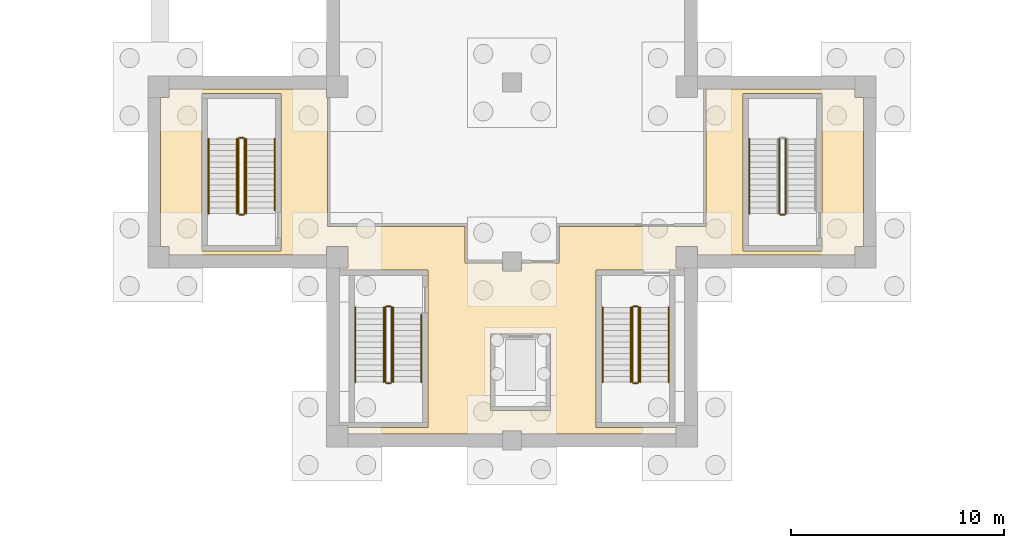
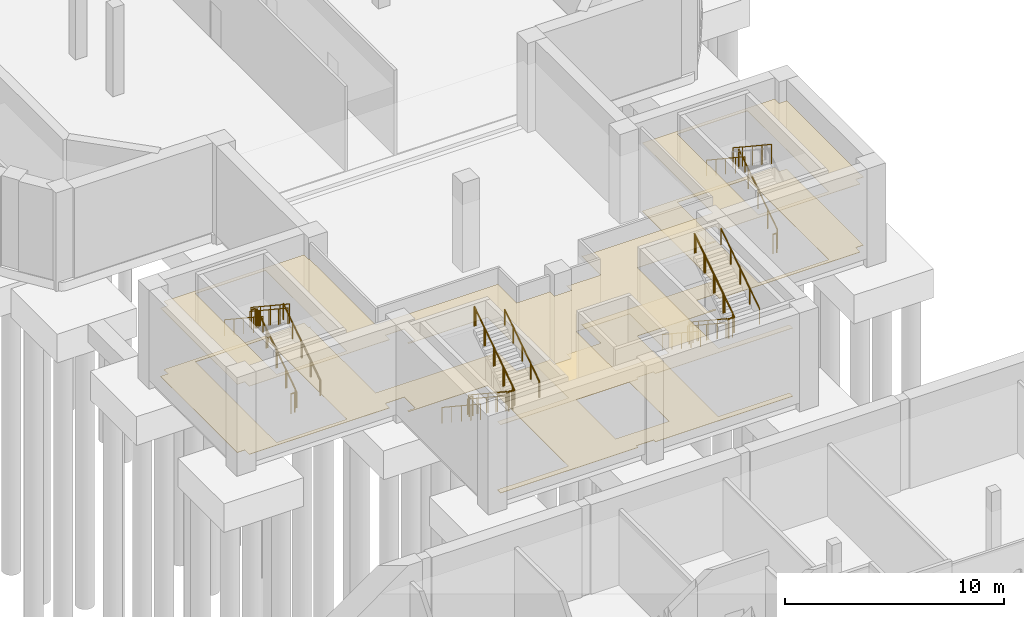
# One storey, part 22 of 33: 28 railings, 2 coverings.
"""IFC4 building model written with IfcOpenShell, lengths in metres."""

import ifcopenshell
import ifcopenshell.guid

model = None  # the IFC model being written
_history = None  # IfcOwnerHistory: only IFC2X3 demands one
_inside = {}  # id of a spatial element -> (the spatial element, [elements in it])
_under = {}  # id of a project, library or spatial element -> (it, [spatial elements below it])
_declared = {}  # id of a project -> (the project, [libraries it declares])
_typed = {}  # id of a type object -> (the type object, [elements of that type])
_made_of = {}  # id of a material, layer set ... -> (it, [elements and type objects made of it])


def new_model(schema):
    """Start an empty IFC model of exactly this schema.

    Asked for "IFC4X3", IfcOpenShell would pick the latest addendum, in which some entities
    have other attributes; the version numbers below select the first issue.
    IFC2X3 requires an IfcOwnerHistory on every rooted entity: one is made here for all.
    """
    global model, _history
    if schema == "IFC4X3":
        model = ifcopenshell.file(schema_version=(4, 3, 0, 0))
    else:
        model = ifcopenshell.file(schema=schema)
    _inside.clear()
    _under.clear()
    _declared.clear()
    _typed.clear()
    _made_of.clear()
    _history = None
    if model.schema == "IFC2X3":
        org = make("IfcOrganization", Name="unknown")
        user = make(
            "IfcPersonAndOrganization",
            ThePerson=make("IfcPerson", FamilyName="unknown"),
            TheOrganization=org,
        )
        app = make(
            "IfcApplication",
            ApplicationDeveloper=org,
            Version="unknown",
            ApplicationFullName="unknown",
            ApplicationIdentifier="unknown",
        )
        _history = make(
            "IfcOwnerHistory",
            OwningUser=user,
            OwningApplication=app,
            ChangeAction="ADDED",
            CreationDate=0,
        )
    return model


def make(cls, **values):
    """One entity of the class cls with the attributes given. An attribute that is None is left unset."""
    return model.create_entity(
        cls, **{name: value for name, value in values.items() if value is not None}
    )


def rooted(cls, **values):
    """An entity with a GlobalId (a new one), such as an element, a storey or a relation."""
    return make(cls, GlobalId=ifcopenshell.guid.new(), OwnerHistory=_history, **values)


def si_unit(unit_type, name, prefix=None):
    """IfcSIUnit, for example si_unit("LENGTHUNIT", "METRE", prefix="MILLI")."""
    return make("IfcSIUnit", UnitType=unit_type, Prefix=prefix, Name=name)


def assignment(units):
    """IfcUnitAssignment: the units of a project."""
    return None if units is None else make("IfcUnitAssignment", Units=units)


def point(xyz):
    """IfcCartesianPoint."""
    return None if xyz is None else make("IfcCartesianPoint", Coordinates=xyz)


def direction(xyz):
    """IfcDirection."""
    return None if xyz is None else make("IfcDirection", DirectionRatios=xyz)


def frame(location, z_axis=None, x_axis=None):
    """IfcAxis2Placement3D, a coordinate frame: its origin and axes. An axis left out is left unset."""
    return make(
        "IfcAxis2Placement3D",
        Location=point(location),
        Axis=direction(z_axis),
        RefDirection=direction(x_axis),
    )


def frame_2d(location, x_axis=None):
    """IfcAxis2Placement2D, a coordinate frame in the plane: its origin and x axis."""
    return make(
        "IfcAxis2Placement2D", Location=point(location), RefDirection=direction(x_axis)
    )


def origin():
    """The frame at (0, 0, 0) with its axes left unset."""
    return frame((0.0, 0.0, 0.0))


def origin_2d():
    """The frame at (0, 0) in the plane with its x axis left unset."""
    return frame_2d((0.0, 0.0))


def place(relative_to, where):
    """IfcLocalPlacement: puts the frame where relative to a parent placement (None: the world)."""
    return make(
        "IfcLocalPlacement", PlacementRelTo=relative_to, RelativePlacement=where
    )


def context(
    kind, dimensions, precision=None, world=None, true_north=None, identifier=None
):
    """IfcGeometricRepresentationContext, for example the 3D "Model" context."""
    return make(
        "IfcGeometricRepresentationContext",
        ContextIdentifier=identifier,
        ContextType=kind,
        CoordinateSpaceDimension=dimensions,
        Precision=precision,
        WorldCoordinateSystem=world,
        TrueNorth=true_north,
    )


def subcontext(parent, identifier, kind, view, scale=None):
    """IfcGeometricRepresentationSubContext, for example "Body" below "Model"."""
    return make(
        "IfcGeometricRepresentationSubContext",
        ContextIdentifier=identifier,
        ContextType=kind,
        ParentContext=parent,
        TargetScale=scale,
        TargetView=view,
    )


def project(units=None, contexts=None):
    """IfcProject with its units and contexts."""
    return rooted(
        "IfcProject",
        Name="project",
        RepresentationContexts=contexts,
        UnitsInContext=assignment(units),
    )


def spatial(cls, under=None, at=None, **own):
    """A site, building, storey or space (cls), placed at a placement, below another one or the project."""
    s = rooted(cls, ObjectPlacement=at, **own)
    if under is not None:
        _under.setdefault(under.id(), (under, []))[1].append(s)
    return s


def polyline(points):
    """IfcPolyline through the points."""
    return make("IfcPolyline", Points=[point(p) for p in points])


def profile(cls, at=None, kind="AREA", **sizes):
    """A parametric profile (cls). Its sizes go by their IFC names, for example OverallWidth=200.0."""
    return make(cls, ProfileType=kind, Position=at, **sizes)


def circle(**sizes):
    """IfcCircleProfileDef."""
    return profile("IfcCircleProfileDef", **sizes)


def outline(outer, holes=None, kind="AREA"):
    """IfcArbitraryClosedProfileDef: a profile drawn as a closed curve; with holes, ...WithVoids."""
    if holes is None:
        return make("IfcArbitraryClosedProfileDef", ProfileType=kind, OuterCurve=outer)
    return make(
        "IfcArbitraryProfileDefWithVoids",
        ProfileType=kind,
        OuterCurve=outer,
        InnerCurves=holes,
    )


def extrude(swept, where, along, depth):
    """IfcExtrudedAreaSolid: the profile swept, set in the frame where, extruded along a direction by depth."""
    return make(
        "IfcExtrudedAreaSolid",
        SweptArea=swept,
        Position=where,
        ExtrudedDirection=direction(along),
        Depth=depth,
    )


def shape(context_of_items, identifier, shape_type, items):
    """IfcShapeRepresentation: the items that make up one representation, for example the "Body"."""
    return make(
        "IfcShapeRepresentation",
        ContextOfItems=context_of_items,
        RepresentationIdentifier=identifier,
        RepresentationType=shape_type,
        Items=items,
    )


def material(Name=None, Category=None):
    """IfcMaterial."""
    return make("IfcMaterial", Name=Name, Category=Category)


def layer(
    of_material, thickness, ventilated=None, Name=None, Category=None, Priority=None
):
    """IfcMaterialLayer: one layer of a wall or slab, of a material (None: an air gap)."""
    return make(
        "IfcMaterialLayer",
        Material=of_material,
        LayerThickness=thickness,
        IsVentilated=ventilated,
        Name=Name,
        Category=Category,
        Priority=Priority,
    )


def layer_set(layers, Name=None):
    """IfcMaterialLayerSet."""
    return make("IfcMaterialLayerSet", MaterialLayers=layers, LayerSetName=Name)


def made_of(thing, what):
    """Note that an element or type object is made of a material, layer set ...; save() writes the relation."""
    if what is not None:
        _made_of.setdefault(what.id(), (what, []))[1].append(thing)
    return thing


def type_object(cls, material=None, **own):
    """A type object (cls), such as IfcWallType, which elements share."""
    return made_of(rooted(cls, **own), material)


def element(
    cls,
    number,
    at=None,
    inside=None,
    cuts=None,
    type_object=None,
    material=None,
    context=None,
    identifier="Body",
    shape_type=None,
    held_by="IfcProductDefinitionShape",
    body=None,
    shapes=None,
    **own,
):
    """One element of the class cls, such as IfcWall. Its Tag is "e" and its number.

    at: its placement. inside: the storey or other place that contains it. cuts: it is an
    opening in that element (IfcRelVoidsElement). A single representation is given by context,
    identifier, shape_type and body (its items); several are given by shapes. held_by: the class
    of the entity that holds the representations. save() writes the other relations.
    """
    e = rooted(cls, Tag="e%d" % number, ObjectPlacement=at, **own)
    if body is not None:
        shapes = [shape(context, identifier, shape_type, body)]
    if shapes is not None:
        e.Representation = make(held_by, Representations=shapes)
    if inside is not None:
        _inside.setdefault(inside.id(), (inside, []))[1].append(e)
    if cuts is not None:
        rooted(
            "IfcRelVoidsElement", RelatingBuildingElement=cuts, RelatedOpeningElement=e
        )
    if type_object is not None:
        _typed.setdefault(type_object.id(), (type_object, []))[1].append(e)
    return made_of(e, material)


def aggregate(whole, parts):
    """IfcRelAggregates: a whole, such as a stair, and the parts it consists of."""
    return rooted("IfcRelAggregates", RelatingObject=whole, RelatedObjects=parts)


def save(model, path):
    """Write the relations noted so far, then the file.

    IfcRelAggregates (storeys below a building ...), IfcRelContainedInSpatialStructure (elements
    in a storey), IfcRelDefinesByType, IfcRelAssociatesMaterial and IfcRelDeclares: one each for
    every whole, place, type object, material and project.
    """
    for whole, parts in _under.values():
        aggregate(whole, parts)
    for where, things in _inside.values():
        rooted(
            "IfcRelContainedInSpatialStructure",
            RelatedElements=things,
            RelatingStructure=where,
        )
    for kind, things in _typed.values():
        rooted("IfcRelDefinesByType", RelatedObjects=things, RelatingType=kind)
    for what, things in _made_of.values():
        rooted("IfcRelAssociatesMaterial", RelatedObjects=things, RelatingMaterial=what)
    for by, libraries in _declared.values():
        rooted("IfcRelDeclares", RelatingContext=by, RelatedDefinitions=libraries)
    model.write(path)


model = new_model("IFC4")

# Units and contexts
model_context = context("Model", 3, precision=1e-05, world=origin(), true_north=direction((0.0, 1.0)))
body_context = subcontext(model_context, "Body", "Model", "MODEL_VIEW")
ifc_project = project(units=[si_unit("LENGTHUNIT", "METRE"), si_unit("AREAUNIT", "SQUARE_METRE"), si_unit("VOLUMEUNIT", "CUBIC_METRE"), si_unit("PLANEANGLEUNIT", "RADIAN"), si_unit("MASSUNIT", "GRAM", prefix="KILO")], contexts=[model_context])

# Site, building, storey
site_placement = place(None, origin())
site = spatial("IfcSite", under=ifc_project, at=site_placement, CompositionType="ELEMENT")
building_placement = place(site_placement, origin())
building = spatial("IfcBuilding", under=site, at=building_placement, Name="Larchfold Concert Hall", CompositionType="ELEMENT")
storey_placement = place(building_placement, frame((0.0, 0.0, -5.0)))
storey = spatial("IfcBuildingStorey", under=building, at=storey_placement, Name="B1", CompositionType="ELEMENT", Elevation=-5.0)

# Coverings
ifc_material_1 = material(Name="Mineral fibre ceiling tile")
ifc_layer_1 = layer(ifc_material_1, 0.02001953125)
ifc_layer_set_1 = layer_set([ifc_layer_1], Name="Mineral fibre ceiling tile")
covering_type_1 = type_object("IfcCoveringType", Name="Ceiling mineral fibre tile 20", PredefinedType="CEILING", material=ifc_layer_set_1)
covering_1_placement = place(storey_placement, frame((0.0, 0.0, 3.800048828125)))
element("IfcCovering", 1, at=covering_1_placement, inside=storey, type_object=covering_type_1, Name="Ceiling Service Corridor 08", PredefinedType="CEILING", context=body_context, shape_type="SweptSolid", body=[
    extrude(outline(polyline([(33.939453125, 44.24951171875), (33.937744140625, 50.280029296875), (34.000244140625, 50.280029296875), (34.000244140625, 50.300048828125), (33.89990234375, 50.300048828125), (33.89990234375, 50.699951171875), (26.5, 50.699951171875), (26.5, 50.300048828125), (26.10009765625, 50.300048828125), (26.10009765625, 43.300048828125), (26.5, 43.300048828125), (26.5, 42.900146484375), (33.89990234375, 42.900146484375), (33.89990234375, 43.300048828125), (34.89990234375, 43.300048828125), (34.89990234375, 42.300048828125), (34.5, 42.300048828125), (34.5, 42.199951171875), (38.64990234375, 42.199951171875), (38.64990234375, 34.800048828125), (34.89990234375, 34.800048828125), (34.89990234375, 34.5), (42.150146484375, 34.5), (42.150146484375, 34.64990234375), (43.050048828125, 34.64990234375), (43.050048828125, 34.5), (50.300048828125, 34.5), (50.300048828125, 34.800048828125), (46.550048828125, 34.800048828125), (46.550048828125, 42.199951171875), (50.699951171875, 42.199951171875), (50.699951171875, 42.300048828125), (50.300048828125, 42.300048828125), (50.300048828125, 43.300048828125), (51.300048828125, 43.300048828125), (51.300048828125, 42.900146484375), (58.699951171875, 42.900146484375), (58.699951171875, 43.300048828125), (59.099853515625, 43.300048828125), (59.099853515625, 50.300048828125), (58.699951171875, 50.300048828125), (58.699951171875, 50.699951171875), (51.71337890625, 50.699951171875), (51.71337890625, 44.24951171875), (44.810546875, 44.24951171875), (44.810302734375, 44.311767578125), (44.8134765625, 42.53857421875), (43.070068359375, 42.5380859375), (43.070068359375, 42.6005859375), (43.050048828125, 42.6005859375), (43.050048828125, 42.150146484375), (42.150146484375, 42.150146484375), (42.150146484375, 42.600341796875), (42.130126953125, 42.600341796875), (42.130126953125, 42.537841796875), (40.386474609375, 42.537841796875), (40.390380859375, 44.24951171875), (33.939453125, 44.24951171875)]), holes=[polyline([(57.14990234375, 50.5), (57.14990234375, 43.10009765625), (53.449951171875, 43.10009765625), (53.449951171875, 50.5), (57.14990234375, 50.5)]), polyline([(41.60009765625, 39.199951171875), (44.39990234375, 39.199951171875), (44.39990234375, 35.60009765625), (41.60009765625, 35.60009765625), (41.60009765625, 39.199951171875)]), polyline([(31.75, 50.5), (31.75, 43.10009765625), (28.050048828125, 43.10009765625), (28.050048828125, 50.5), (31.75, 50.5)])]), origin(), (0.0, 0.0, 1.0), 0.02001953125),
])
ifc_material_2 = material(Name="Linoleum sheet")
ifc_layer_2 = layer(ifc_material_2, 0.02001953125)
ifc_layer_set_2 = layer_set([ifc_layer_2], Name="Linoleum sheet")
covering_type_2 = type_object("IfcCoveringType", Name="Floor finish vinyl 20", PredefinedType="FLOORING", material=ifc_layer_set_2)
covering_2_placement = place(storey_placement, origin())
element("IfcCovering", 2, at=covering_2_placement, inside=storey, type_object=covering_type_2, Name="Floor finish Service Corridor 08", PredefinedType="FLOORING", context=body_context, shape_type="SweptSolid", body=[
    extrude(outline(polyline([(33.939453125, 44.24951171875), (33.937744140625, 50.280029296875), (34.000244140625, 50.280029296875), (34.000244140625, 50.300048828125), (33.89990234375, 50.300048828125), (33.89990234375, 50.699951171875), (26.5, 50.699951171875), (26.5, 50.300048828125), (26.10009765625, 50.300048828125), (26.10009765625, 43.300048828125), (26.5, 43.300048828125), (26.5, 42.900146484375), (33.89990234375, 42.900146484375), (33.89990234375, 43.300048828125), (34.89990234375, 43.300048828125), (34.89990234375, 42.300048828125), (34.5, 42.300048828125), (34.5, 42.199951171875), (38.64990234375, 42.199951171875), (38.64990234375, 34.800048828125), (34.89990234375, 34.800048828125), (34.89990234375, 34.5), (42.150146484375, 34.5), (42.150146484375, 34.64990234375), (43.050048828125, 34.64990234375), (43.050048828125, 34.5), (50.300048828125, 34.5), (50.300048828125, 34.800048828125), (46.550048828125, 34.800048828125), (46.550048828125, 42.199951171875), (50.699951171875, 42.199951171875), (50.699951171875, 42.300048828125), (50.300048828125, 42.300048828125), (50.300048828125, 43.300048828125), (51.300048828125, 43.300048828125), (51.300048828125, 42.900146484375), (58.699951171875, 42.900146484375), (58.699951171875, 43.300048828125), (59.099853515625, 43.300048828125), (59.099853515625, 50.300048828125), (58.699951171875, 50.300048828125), (58.699951171875, 50.699951171875), (51.71337890625, 50.699951171875), (51.71337890625, 44.24951171875), (44.810546875, 44.24951171875), (44.810302734375, 44.311767578125), (44.8134765625, 42.53857421875), (43.070068359375, 42.5380859375), (43.070068359375, 42.6005859375), (43.050048828125, 42.6005859375), (43.050048828125, 42.150146484375), (42.150146484375, 42.150146484375), (42.150146484375, 42.600341796875), (42.130126953125, 42.600341796875), (42.130126953125, 42.537841796875), (40.386474609375, 42.537841796875), (40.390380859375, 44.24951171875), (33.939453125, 44.24951171875)]), holes=[polyline([(57.14990234375, 50.5), (57.14990234375, 43.10009765625), (53.449951171875, 43.10009765625), (53.449951171875, 50.5), (57.14990234375, 50.5)]), polyline([(41.60009765625, 39.199951171875), (44.39990234375, 39.199951171875), (44.39990234375, 35.60009765625), (41.60009765625, 35.60009765625), (41.60009765625, 39.199951171875)]), polyline([(31.75, 50.5), (31.75, 43.10009765625), (28.050048828125, 43.10009765625), (28.050048828125, 50.5), (31.75, 50.5)])]), origin(), (0.0, 0.0, 1.0), 0.02001953125),
])

# Railings
ifc_material_3 = material(Name="Stainless steel balustrade", Category="steel")
railing_type_1 = type_object("IfcRailingType", Name="Stair guard 1100", PredefinedType="GUARDRAIL", material=ifc_material_3)
railing_1_placement = place(storey_placement, frame((30.050048828125, 44.85009765625, 0.178466796875)))
element("IfcRailing", 3, at=railing_1_placement, inside=storey, type_object=railing_type_1, Name="Guard GR0017", PredefinedType="GUARDRAIL", context=body_context, shape_type="SweptSolid", body=[
    extrude(circle(Radius=0.02392578125, at=origin_2d()), frame((0.0, 0.0, 1.076171875), z_axis=(0.0, 0.834070780157, 0.551657442339), x_axis=(-1.0, 0.0, 0.0)), (0.0, 0.0, 1.0), 4.208251953125),
    extrude(circle(Radius=0.02099609375, at=origin_2d()), origin(), (0.0, 0.0, 1.0), 1.052001953125),
    extrude(circle(Radius=0.02099609375, at=origin_2d()), frame((0.0, 0.87744140625, 0.580322265625)), (0.0, 0.0, 1.0), 1.052001953125),
    extrude(circle(Radius=0.02099609375, at=origin_2d()), frame((0.0, 1.7548828125, 1.16064453125)), (0.0, 0.0, 1.0), 1.052001953125),
    extrude(circle(Radius=0.02099609375, at=origin_2d()), frame((0.0, 2.632568359375, 1.7412109375)), (0.0, 0.0, 1.0), 1.052001953125),
    extrude(circle(Radius=0.02099609375, at=origin_2d()), frame((0.0, 3.510009765625, 2.321533203125)), (0.0, 0.0, 1.0), 1.052001953125),
])
railing_2_placement = place(storey_placement, frame((30.0, 48.41015625, 2.5)))
element("IfcRailing", 4, at=railing_2_placement, inside=storey, type_object=railing_type_1, Name="Guard GR0018", PredefinedType="GUARDRAIL", context=body_context, shape_type="SweptSolid", body=[
    extrude(circle(Radius=0.02392578125, at=origin_2d()), frame((0.0, 0.0, 1.076171875), z_axis=(-1.0, 0.0, 0.0), x_axis=(0.0, -1.0, 0.0)), (0.0, 0.0, 1.0), 0.199951171875),
    extrude(circle(Radius=0.02099609375, at=origin_2d()), origin(), (0.0, 0.0, 1.0), 1.052001953125),
    extrude(circle(Radius=0.02099609375, at=origin_2d()), frame((-0.199951171875, 0.0, 0.0)), (0.0, 0.0, 1.0), 1.052001953125),
])
railing_3_placement = place(storey_placement, frame((29.75, 48.360107421875, 2.678466796875)))
element("IfcRailing", 5, at=railing_3_placement, inside=storey, type_object=railing_type_1, Name="Guard GR0019", PredefinedType="GUARDRAIL", context=body_context, shape_type="SweptSolid", body=[
    extrude(circle(Radius=0.02392578125, at=origin_2d()), frame((0.0, 0.0, 1.076171875), z_axis=(0.0, -0.834070780157, 0.551657442339), x_axis=(1.0, 0.0, 0.0)), (0.0, 0.0, 1.0), 4.208251953125),
    extrude(circle(Radius=0.02099609375, at=origin_2d()), origin(), (0.0, 0.0, 1.0), 1.052001953125),
    extrude(circle(Radius=0.02099609375, at=origin_2d()), frame((0.0, -0.87744140625, 0.580322265625)), (0.0, 0.0, 1.0), 1.052001953125),
    extrude(circle(Radius=0.02099609375, at=origin_2d()), frame((0.0, -1.7548828125, 1.16064453125)), (0.0, 0.0, 1.0), 1.052001953125),
    extrude(circle(Radius=0.02099609375, at=origin_2d()), frame((0.0, -2.632568359375, 1.7412109375)), (0.0, 0.0, 1.0), 1.052001953125),
    extrude(circle(Radius=0.02099609375, at=origin_2d()), frame((0.0, -3.510009765625, 2.321533203125)), (0.0, 0.0, 1.0), 1.052001953125),
])
railing_4_placement = place(storey_placement, frame((30.0, 44.800048828125, 0.0)))
element("IfcRailing", 6, at=railing_4_placement, inside=storey, type_object=railing_type_1, Name="Guard GR0020", PredefinedType="GUARDRAIL", context=body_context, shape_type="SweptSolid", body=[
    extrude(circle(Radius=0.02392578125, at=origin_2d()), frame((0.0, 0.0, 1.076171875), z_axis=(-1.0, 0.0, 0.0), x_axis=(0.0, -1.0, 0.0)), (0.0, 0.0, 1.0), 0.199951171875),
    extrude(circle(Radius=0.02099609375, at=origin_2d()), origin(), (0.0, 0.0, 1.0), 1.052001953125),
    extrude(circle(Radius=0.02099609375, at=origin_2d()), frame((-0.199951171875, 0.0, 0.0)), (0.0, 0.0, 1.0), 1.052001953125),
])
railing_5_placement = place(storey_placement, frame((55.449951171875, 44.85009765625, 0.178466796875)))
element("IfcRailing", 7, at=railing_5_placement, inside=storey, type_object=railing_type_1, Name="Guard GR0021", PredefinedType="GUARDRAIL", context=body_context, shape_type="SweptSolid", body=[
    extrude(circle(Radius=0.02392578125, at=origin_2d()), frame((0.0, 0.0, 1.076171875), z_axis=(0.0, 0.834070780157, 0.551657442339), x_axis=(-1.0, 0.0, 0.0)), (0.0, 0.0, 1.0), 4.208251953125),
    extrude(circle(Radius=0.02099609375, at=origin_2d()), origin(), (0.0, 0.0, 1.0), 1.052001953125),
    extrude(circle(Radius=0.02099609375, at=origin_2d()), frame((0.0, 0.87744140625, 0.580322265625)), (0.0, 0.0, 1.0), 1.052001953125),
    extrude(circle(Radius=0.02099609375, at=origin_2d()), frame((0.0, 1.7548828125, 1.16064453125)), (0.0, 0.0, 1.0), 1.052001953125),
    extrude(circle(Radius=0.02099609375, at=origin_2d()), frame((0.0, 2.632568359375, 1.7412109375)), (0.0, 0.0, 1.0), 1.052001953125),
    extrude(circle(Radius=0.02099609375, at=origin_2d()), frame((0.0, 3.510009765625, 2.321533203125)), (0.0, 0.0, 1.0), 1.052001953125),
])
railing_6_placement = place(storey_placement, frame((55.14990234375, 48.360107421875, 2.678466796875)))
element("IfcRailing", 8, at=railing_6_placement, inside=storey, type_object=railing_type_1, Name="Guard GR0023", PredefinedType="GUARDRAIL", context=body_context, shape_type="SweptSolid", body=[
    extrude(circle(Radius=0.02392578125, at=origin_2d()), frame((0.0, 0.0, 1.076171875), z_axis=(0.0, -0.834070780157, 0.551657442339), x_axis=(1.0, 0.0, 0.0)), (0.0, 0.0, 1.0), 4.208251953125),
    extrude(circle(Radius=0.02099609375, at=origin_2d()), origin(), (0.0, 0.0, 1.0), 1.052001953125),
    extrude(circle(Radius=0.02099609375, at=origin_2d()), frame((0.0, -0.87744140625, 0.580322265625)), (0.0, 0.0, 1.0), 1.052001953125),
    extrude(circle(Radius=0.02099609375, at=origin_2d()), frame((0.0, -1.7548828125, 1.16064453125)), (0.0, 0.0, 1.0), 1.052001953125),
    extrude(circle(Radius=0.02099609375, at=origin_2d()), frame((0.0, -2.632568359375, 1.7412109375)), (0.0, 0.0, 1.0), 1.052001953125),
    extrude(circle(Radius=0.02099609375, at=origin_2d()), frame((0.0, -3.510009765625, 2.321533203125)), (0.0, 0.0, 1.0), 1.052001953125),
])
railing_7_placement = place(storey_placement, frame((55.39990234375, 44.800048828125, 0.0)))
element("IfcRailing", 9, at=railing_7_placement, inside=storey, type_object=railing_type_1, Name="Guard GR0024", PredefinedType="GUARDRAIL", context=body_context, shape_type="SweptSolid", body=[
    extrude(circle(Radius=0.02392578125, at=origin_2d()), frame((0.0, 0.0, 1.076171875), z_axis=(-1.0, 0.0, 0.0), x_axis=(0.0, -1.0, 0.0)), (0.0, 0.0, 1.0), 0.199951171875),
    extrude(circle(Radius=0.02099609375, at=origin_2d()), origin(), (0.0, 0.0, 1.0), 1.052001953125),
    extrude(circle(Radius=0.02099609375, at=origin_2d()), frame((-0.199951171875, 0.0, 0.0)), (0.0, 0.0, 1.0), 1.052001953125),
])
railing_8_placement = place(storey_placement, frame((36.64990234375, 40.449951171875, 0.178466796875)))
element("IfcRailing", 10, at=railing_8_placement, inside=storey, type_object=railing_type_1, Name="Guard GR0025", PredefinedType="GUARDRAIL", context=body_context, shape_type="SweptSolid", body=[
    extrude(circle(Radius=0.02392578125, at=origin_2d()), frame((0.0, 0.0, 1.076171875), z_axis=(0.0, -0.834070780157, 0.551657442339), x_axis=(1.0, 0.0, 0.0)), (0.0, 0.0, 1.0), 4.208251953125),
    extrude(circle(Radius=0.02099609375, at=origin_2d()), origin(), (0.0, 0.0, 1.0), 1.052001953125),
    extrude(circle(Radius=0.02099609375, at=origin_2d()), frame((0.0, -0.87744140625, 0.580322265625)), (0.0, 0.0, 1.0), 1.052001953125),
    extrude(circle(Radius=0.02099609375, at=origin_2d()), frame((0.0, -1.7548828125, 1.16064453125)), (0.0, 0.0, 1.0), 1.052001953125),
    extrude(circle(Radius=0.02099609375, at=origin_2d()), frame((0.0, -2.632568359375, 1.7412109375)), (0.0, 0.0, 1.0), 1.052001953125),
    extrude(circle(Radius=0.02099609375, at=origin_2d()), frame((0.0, -3.510009765625, 2.321533203125)), (0.0, 0.0, 1.0), 1.052001953125),
])
railing_9_placement = place(storey_placement, frame((36.699951171875, 36.889892578125, 2.5)))
element("IfcRailing", 11, at=railing_9_placement, inside=storey, type_object=railing_type_1, Name="Guard GR0026", PredefinedType="GUARDRAIL", context=body_context, shape_type="SweptSolid", body=[
    extrude(circle(Radius=0.02392578125, at=origin_2d()), frame((0.0, 0.0, 1.076171875), z_axis=(1.0, 0.0, 0.0), x_axis=(0.0, 1.0, 0.0)), (0.0, 0.0, 1.0), 0.199951171875),
    extrude(circle(Radius=0.02099609375, at=origin_2d()), origin(), (0.0, 0.0, 1.0), 1.052001953125),
    extrude(circle(Radius=0.02099609375, at=origin_2d()), frame((0.199951171875, 0.0, 0.0)), (0.0, 0.0, 1.0), 1.052001953125),
])
railing_10_placement = place(storey_placement, frame((36.949951171875, 36.93994140625, 2.678466796875)))
element("IfcRailing", 12, at=railing_10_placement, inside=storey, type_object=railing_type_1, Name="Guard GR0027", PredefinedType="GUARDRAIL", context=body_context, shape_type="SweptSolid", body=[
    extrude(circle(Radius=0.02392578125, at=origin_2d()), frame((0.0, 0.0, 1.076171875), z_axis=(0.0, 0.834070780157, 0.551657442339), x_axis=(-1.0, 0.0, 0.0)), (0.0, 0.0, 1.0), 4.208251953125),
    extrude(circle(Radius=0.02099609375, at=origin_2d()), origin(), (0.0, 0.0, 1.0), 1.052001953125),
    extrude(circle(Radius=0.02099609375, at=origin_2d()), frame((0.0, 0.87744140625, 0.580322265625)), (0.0, 0.0, 1.0), 1.052001953125),
    extrude(circle(Radius=0.02099609375, at=origin_2d()), frame((0.0, 1.7548828125, 1.16064453125)), (0.0, 0.0, 1.0), 1.052001953125),
    extrude(circle(Radius=0.02099609375, at=origin_2d()), frame((0.0, 2.632568359375, 1.7412109375)), (0.0, 0.0, 1.0), 1.052001953125),
    extrude(circle(Radius=0.02099609375, at=origin_2d()), frame((0.0, 3.510009765625, 2.321533203125)), (0.0, 0.0, 1.0), 1.052001953125),
])
railing_11_placement = place(storey_placement, frame((36.699951171875, 40.5, 0.0)))
element("IfcRailing", 13, at=railing_11_placement, inside=storey, type_object=railing_type_1, Name="Guard GR0028", PredefinedType="GUARDRAIL", context=body_context, shape_type="SweptSolid", body=[
    extrude(circle(Radius=0.02392578125, at=origin_2d()), frame((0.0, 0.0, 1.076171875), z_axis=(1.0, 0.0, 0.0), x_axis=(0.0, 1.0, 0.0)), (0.0, 0.0, 1.0), 0.199951171875),
    extrude(circle(Radius=0.02099609375, at=origin_2d()), origin(), (0.0, 0.0, 1.0), 1.052001953125),
    extrude(circle(Radius=0.02099609375, at=origin_2d()), frame((0.199951171875, 0.0, 0.0)), (0.0, 0.0, 1.0), 1.052001953125),
])
railing_12_placement = place(storey_placement, frame((48.25, 40.449951171875, 0.178466796875)))
element("IfcRailing", 14, at=railing_12_placement, inside=storey, type_object=railing_type_1, Name="Guard GR0029", PredefinedType="GUARDRAIL", context=body_context, shape_type="SweptSolid", body=[
    extrude(circle(Radius=0.02392578125, at=origin_2d()), frame((0.0, 0.0, 1.076171875), z_axis=(0.0, -0.834070780157, 0.551657442339), x_axis=(1.0, 0.0, 0.0)), (0.0, 0.0, 1.0), 4.208251953125),
    extrude(circle(Radius=0.02099609375, at=origin_2d()), origin(), (0.0, 0.0, 1.0), 1.052001953125),
    extrude(circle(Radius=0.02099609375, at=origin_2d()), frame((0.0, -0.87744140625, 0.580322265625)), (0.0, 0.0, 1.0), 1.052001953125),
    extrude(circle(Radius=0.02099609375, at=origin_2d()), frame((0.0, -1.7548828125, 1.16064453125)), (0.0, 0.0, 1.0), 1.052001953125),
    extrude(circle(Radius=0.02099609375, at=origin_2d()), frame((0.0, -2.632568359375, 1.7412109375)), (0.0, 0.0, 1.0), 1.052001953125),
    extrude(circle(Radius=0.02099609375, at=origin_2d()), frame((0.0, -3.510009765625, 2.321533203125)), (0.0, 0.0, 1.0), 1.052001953125),
])
railing_13_placement = place(storey_placement, frame((48.300048828125, 36.889892578125, 2.5)))
element("IfcRailing", 15, at=railing_13_placement, inside=storey, type_object=railing_type_1, Name="Guard GR0030", PredefinedType="GUARDRAIL", context=body_context, shape_type="SweptSolid", body=[
    extrude(circle(Radius=0.02392578125, at=origin_2d()), frame((0.0, 0.0, 1.076171875), z_axis=(1.0, 0.0, 0.0), x_axis=(0.0, 1.0, 0.0)), (0.0, 0.0, 1.0), 0.199951171875),
    extrude(circle(Radius=0.02099609375, at=origin_2d()), origin(), (0.0, 0.0, 1.0), 1.052001953125),
    extrude(circle(Radius=0.02099609375, at=origin_2d()), frame((0.199951171875, 0.0, 0.0)), (0.0, 0.0, 1.0), 1.052001953125),
])
railing_14_placement = place(storey_placement, frame((48.550048828125, 36.93994140625, 2.678466796875)))
element("IfcRailing", 16, at=railing_14_placement, inside=storey, type_object=railing_type_1, Name="Guard GR0031", PredefinedType="GUARDRAIL", context=body_context, shape_type="SweptSolid", body=[
    extrude(circle(Radius=0.02392578125, at=origin_2d()), frame((0.0, 0.0, 1.076171875), z_axis=(0.0, 0.834070780157, 0.551657442339), x_axis=(-1.0, 0.0, 0.0)), (0.0, 0.0, 1.0), 4.208251953125),
    extrude(circle(Radius=0.02099609375, at=origin_2d()), origin(), (0.0, 0.0, 1.0), 1.052001953125),
    extrude(circle(Radius=0.02099609375, at=origin_2d()), frame((0.0, 0.87744140625, 0.580322265625)), (0.0, 0.0, 1.0), 1.052001953125),
    extrude(circle(Radius=0.02099609375, at=origin_2d()), frame((0.0, 1.7548828125, 1.16064453125)), (0.0, 0.0, 1.0), 1.052001953125),
    extrude(circle(Radius=0.02099609375, at=origin_2d()), frame((0.0, 2.632568359375, 1.7412109375)), (0.0, 0.0, 1.0), 1.052001953125),
    extrude(circle(Radius=0.02099609375, at=origin_2d()), frame((0.0, 3.510009765625, 2.321533203125)), (0.0, 0.0, 1.0), 1.052001953125),
])
railing_15_placement = place(storey_placement, frame((48.300048828125, 40.5, 0.0)))
element("IfcRailing", 17, at=railing_15_placement, inside=storey, type_object=railing_type_1, Name="Guard GR0032", PredefinedType="GUARDRAIL", context=body_context, shape_type="SweptSolid", body=[
    extrude(circle(Radius=0.02392578125, at=origin_2d()), frame((0.0, 0.0, 1.076171875), z_axis=(1.0, 0.0, 0.0), x_axis=(0.0, 1.0, 0.0)), (0.0, 0.0, 1.0), 0.199951171875),
    extrude(circle(Radius=0.02099609375, at=origin_2d()), origin(), (0.0, 0.0, 1.0), 1.052001953125),
    extrude(circle(Radius=0.02099609375, at=origin_2d()), frame((0.199951171875, 0.0, 0.0)), (0.0, 0.0, 1.0), 1.052001953125),
])
ifc_material_4 = material(Name="Stainless steel handrail", Category="steel")
railing_type_2 = type_object("IfcRailingType", Name="Stair handrail 900", PredefinedType="HANDRAIL", material=ifc_material_4)
railing_16_placement = place(storey_placement, frame((31.449951171875, 45.000244140625, 0.27783203125)))
element("IfcRailing", 18, at=railing_16_placement, inside=storey, type_object=railing_type_2, Name="Handrail HR0017", PredefinedType="HANDRAIL", context=body_context, shape_type="SweptSolid", body=[
    extrude(circle(Radius=0.02392578125, at=origin_2d()), frame((0.0, 0.0, 0.8759765625), z_axis=(0.0, 0.83407738275, 0.551647459511), x_axis=(-1.0, 0.0, 0.0)), (0.0, 0.0, 1.0), 4.0283203125),
    extrude(circle(Radius=0.02099609375, at=origin_2d()), origin(), (0.0, 0.0, 1.0), 0.851806640625),
    extrude(circle(Radius=0.02099609375, at=origin_2d()), frame((0.0, 0.83984375, 0.5556640625)), (0.0, 0.0, 1.0), 0.851806640625),
    extrude(circle(Radius=0.02099609375, at=origin_2d()), frame((0.0, 1.679931640625, 1.111083984375)), (0.0, 0.0, 1.0), 0.851806640625),
    extrude(circle(Radius=0.02099609375, at=origin_2d()), frame((0.0, 2.52001953125, 1.66650390625)), (0.0, 0.0, 1.0), 0.851806640625),
    extrude(circle(Radius=0.02099609375, at=origin_2d()), frame((0.0, 3.35986328125, 2.22216796875)), (0.0, 0.0, 1.0), 0.851806640625),
])
railing_17_placement = place(storey_placement, frame((28.35009765625, 48.360107421875, 2.678466796875)))
element("IfcRailing", 19, at=railing_17_placement, inside=storey, type_object=railing_type_2, Name="Handrail HR0018", PredefinedType="HANDRAIL", context=body_context, shape_type="SweptSolid", body=[
    extrude(circle(Radius=0.02392578125, at=origin_2d()), frame((0.0, 0.0, 0.8759765625), z_axis=(0.0, -0.834070780157, 0.551657442339), x_axis=(1.0, 0.0, 0.0)), (0.0, 0.0, 1.0), 4.208251953125),
    extrude(circle(Radius=0.02099609375, at=origin_2d()), origin(), (0.0, 0.0, 1.0), 0.851806640625),
    extrude(circle(Radius=0.02099609375, at=origin_2d()), frame((0.0, -0.87744140625, 0.580322265625)), (0.0, 0.0, 1.0), 0.851806640625),
    extrude(circle(Radius=0.02099609375, at=origin_2d()), frame((0.0, -1.7548828125, 1.16064453125)), (0.0, 0.0, 1.0), 0.851806640625),
    extrude(circle(Radius=0.02099609375, at=origin_2d()), frame((0.0, -2.632568359375, 1.7412109375)), (0.0, 0.0, 1.0), 0.851806640625),
    extrude(circle(Radius=0.02099609375, at=origin_2d()), frame((0.0, -3.510009765625, 2.321533203125)), (0.0, 0.0, 1.0), 0.851806640625),
])
railing_18_placement = place(storey_placement, frame((30.1201171875, 44.85009765625, 0.178466796875)))
element("IfcRailing", 20, at=railing_18_placement, inside=storey, type_object=railing_type_2, Name="Handrail HR0019", PredefinedType="HANDRAIL", context=body_context, shape_type="SweptSolid", body=[
    extrude(circle(Radius=0.02392578125, at=origin_2d()), frame((0.0, 0.0, 0.8759765625), z_axis=(0.0, 0.834070780157, 0.551657442339), x_axis=(-1.0, 0.0, 0.0)), (0.0, 0.0, 1.0), 4.208251953125),
    extrude(circle(Radius=0.02099609375, at=origin_2d()), origin(), (0.0, 0.0, 1.0), 0.851806640625),
    extrude(circle(Radius=0.02099609375, at=origin_2d()), frame((0.0, 0.87744140625, 0.580322265625)), (0.0, 0.0, 1.0), 0.851806640625),
    extrude(circle(Radius=0.02099609375, at=origin_2d()), frame((0.0, 1.7548828125, 1.16064453125)), (0.0, 0.0, 1.0), 0.851806640625),
    extrude(circle(Radius=0.02099609375, at=origin_2d()), frame((0.0, 2.632568359375, 1.7412109375)), (0.0, 0.0, 1.0), 0.851806640625),
    extrude(circle(Radius=0.02099609375, at=origin_2d()), frame((0.0, 3.510009765625, 2.321533203125)), (0.0, 0.0, 1.0), 0.851806640625),
])
for number, where, name in (
    (21, (29.679931640625, 48.360107421875, 2.678466796875), "Handrail HR0020"),
    (22, (53.75, 48.360107421875, 2.678466796875), "Handrail HR0022"),
    (23, (35.25, 40.449951171875, 0.178466796875), "Handrail HR0025"),
):
    element("IfcRailing", number, at=place(storey_placement, frame(where)), inside=storey, type_object=railing_type_2, Name=name, PredefinedType="HANDRAIL", context=body_context, shape_type="SweptSolid", body=[
        extrude(circle(Radius=0.02392578125, at=origin_2d()), frame((0.0, 0.0, 0.8759765625), z_axis=(0.0, -0.834070780157, 0.551657442339), x_axis=(1.0, 0.0, 0.0)), (0.0, 0.0, 1.0), 4.208251953125),
        extrude(circle(Radius=0.02099609375, at=origin_2d()), origin(), (0.0, 0.0, 1.0), 0.851806640625),
        extrude(circle(Radius=0.02099609375, at=origin_2d()), frame((0.0, -0.87744140625, 0.580322265625)), (0.0, 0.0, 1.0), 0.851806640625),
        extrude(circle(Radius=0.02099609375, at=origin_2d()), frame((0.0, -1.7548828125, 1.16064453125)), (0.0, 0.0, 1.0), 0.851806640625),
        extrude(circle(Radius=0.02099609375, at=origin_2d()), frame((0.0, -2.632568359375, 1.7412109375)), (0.0, 0.0, 1.0), 0.851806640625),
        extrude(circle(Radius=0.02099609375, at=origin_2d()), frame((0.0, -3.510009765625, 2.321533203125)), (0.0, 0.0, 1.0), 0.851806640625),
    ])
railing_19_placement = place(storey_placement, frame((38.35009765625, 36.93994140625, 2.678466796875)))
element("IfcRailing", 24, at=railing_19_placement, inside=storey, type_object=railing_type_2, Name="Handrail HR0026", PredefinedType="HANDRAIL", context=body_context, shape_type="SweptSolid", body=[
    extrude(circle(Radius=0.02392578125, at=origin_2d()), frame((0.0, 0.0, 0.8759765625), z_axis=(0.0, 0.834076964798, 0.551648091443), x_axis=(-1.0, 0.0, 0.0)), (0.0, 0.0, 1.0), 3.788818359375),
    extrude(circle(Radius=0.02099609375, at=origin_2d()), origin(), (0.0, 0.0, 1.0), 0.851806640625),
    extrude(circle(Radius=0.02099609375, at=origin_2d()), frame((0.0, 0.7900390625, 0.5224609375)), (0.0, 0.0, 1.0), 0.851806640625),
    extrude(circle(Radius=0.02099609375, at=origin_2d()), frame((0.0, 1.580078125, 1.044921875)), (0.0, 0.0, 1.0), 0.851806640625),
    extrude(circle(Radius=0.02099609375, at=origin_2d()), frame((0.0, 2.3701171875, 1.567626953125)), (0.0, 0.0, 1.0), 0.851806640625),
    extrude(circle(Radius=0.02099609375, at=origin_2d()), frame((0.0, 3.16015625, 2.090087890625)), (0.0, 0.0, 1.0), 0.851806640625),
])
railing_20_placement = place(storey_placement, frame((36.579833984375, 40.449951171875, 0.178466796875)))
element("IfcRailing", 25, at=railing_20_placement, inside=storey, type_object=railing_type_2, Name="Handrail HR0027", PredefinedType="HANDRAIL", context=body_context, shape_type="SweptSolid", body=[
    extrude(circle(Radius=0.02392578125, at=origin_2d()), frame((0.0, 0.0, 0.8759765625), z_axis=(0.0, -0.834070780157, 0.551657442339), x_axis=(1.0, 0.0, 0.0)), (0.0, 0.0, 1.0), 4.208251953125),
    extrude(circle(Radius=0.02099609375, at=origin_2d()), origin(), (0.0, 0.0, 1.0), 0.851806640625),
    extrude(circle(Radius=0.02099609375, at=origin_2d()), frame((0.0, -0.87744140625, 0.580322265625)), (0.0, 0.0, 1.0), 0.851806640625),
    extrude(circle(Radius=0.02099609375, at=origin_2d()), frame((0.0, -1.7548828125, 1.16064453125)), (0.0, 0.0, 1.0), 0.851806640625),
    extrude(circle(Radius=0.02099609375, at=origin_2d()), frame((0.0, -2.632568359375, 1.7412109375)), (0.0, 0.0, 1.0), 0.851806640625),
    extrude(circle(Radius=0.02099609375, at=origin_2d()), frame((0.0, -3.510009765625, 2.321533203125)), (0.0, 0.0, 1.0), 0.851806640625),
])
railing_21_placement = place(storey_placement, frame((37.02001953125, 36.93994140625, 2.678466796875)))
element("IfcRailing", 26, at=railing_21_placement, inside=storey, type_object=railing_type_2, Name="Handrail HR0028", PredefinedType="HANDRAIL", context=body_context, shape_type="SweptSolid", body=[
    extrude(circle(Radius=0.02392578125, at=origin_2d()), frame((0.0, 0.0, 0.8759765625), z_axis=(0.0, 0.834070780157, 0.551657442339), x_axis=(-1.0, 0.0, 0.0)), (0.0, 0.0, 1.0), 4.208251953125),
    extrude(circle(Radius=0.02099609375, at=origin_2d()), origin(), (0.0, 0.0, 1.0), 0.851806640625),
    extrude(circle(Radius=0.02099609375, at=origin_2d()), frame((0.0, 0.87744140625, 0.580322265625)), (0.0, 0.0, 1.0), 0.851806640625),
    extrude(circle(Radius=0.02099609375, at=origin_2d()), frame((0.0, 1.7548828125, 1.16064453125)), (0.0, 0.0, 1.0), 0.851806640625),
    extrude(circle(Radius=0.02099609375, at=origin_2d()), frame((0.0, 2.632568359375, 1.7412109375)), (0.0, 0.0, 1.0), 0.851806640625),
    extrude(circle(Radius=0.02099609375, at=origin_2d()), frame((0.0, 3.510009765625, 2.321533203125)), (0.0, 0.0, 1.0), 0.851806640625),
])
railing_22_placement = place(storey_placement, frame((46.85009765625, 40.449951171875, 0.178466796875)))
element("IfcRailing", 27, at=railing_22_placement, inside=storey, type_object=railing_type_2, Name="Handrail HR0029", PredefinedType="HANDRAIL", context=body_context, shape_type="SweptSolid", body=[
    extrude(circle(Radius=0.02392578125, at=origin_2d()), frame((0.0, 0.0, 0.8759765625), z_axis=(0.0, -0.834070780157, 0.551657442339), x_axis=(1.0, 0.0, 0.0)), (0.0, 0.0, 1.0), 4.208251953125),
    extrude(circle(Radius=0.02099609375, at=origin_2d()), origin(), (0.0, 0.0, 1.0), 0.851806640625),
    extrude(circle(Radius=0.02099609375, at=origin_2d()), frame((0.0, -0.87744140625, 0.580322265625)), (0.0, 0.0, 1.0), 0.851806640625),
    extrude(circle(Radius=0.02099609375, at=origin_2d()), frame((0.0, -1.7548828125, 1.16064453125)), (0.0, 0.0, 1.0), 0.851806640625),
    extrude(circle(Radius=0.02099609375, at=origin_2d()), frame((0.0, -2.632568359375, 1.7412109375)), (0.0, 0.0, 1.0), 0.851806640625),
    extrude(circle(Radius=0.02099609375, at=origin_2d()), frame((0.0, -3.510009765625, 2.321533203125)), (0.0, 0.0, 1.0), 0.851806640625),
])
railing_23_placement = place(storey_placement, frame((49.949951171875, 36.93994140625, 2.678466796875)))
element("IfcRailing", 28, at=railing_23_placement, inside=storey, type_object=railing_type_2, Name="Handrail HR0030", PredefinedType="HANDRAIL", context=body_context, shape_type="SweptSolid", body=[
    extrude(circle(Radius=0.02392578125, at=origin_2d()), frame((0.0, 0.0, 0.8759765625), z_axis=(0.0, 0.834070780157, 0.551657442339), x_axis=(-1.0, 0.0, 0.0)), (0.0, 0.0, 1.0), 4.208251953125),
    extrude(circle(Radius=0.02099609375, at=origin_2d()), origin(), (0.0, 0.0, 1.0), 0.851806640625),
    extrude(circle(Radius=0.02099609375, at=origin_2d()), frame((0.0, 0.87744140625, 0.580322265625)), (0.0, 0.0, 1.0), 0.851806640625),
    extrude(circle(Radius=0.02099609375, at=origin_2d()), frame((0.0, 1.7548828125, 1.16064453125)), (0.0, 0.0, 1.0), 0.851806640625),
    extrude(circle(Radius=0.02099609375, at=origin_2d()), frame((0.0, 2.632568359375, 1.7412109375)), (0.0, 0.0, 1.0), 0.851806640625),
    extrude(circle(Radius=0.02099609375, at=origin_2d()), frame((0.0, 3.510009765625, 2.321533203125)), (0.0, 0.0, 1.0), 0.851806640625),
])
railing_24_placement = place(storey_placement, frame((48.179931640625, 40.449951171875, 0.178466796875)))
element("IfcRailing", 29, at=railing_24_placement, inside=storey, type_object=railing_type_2, Name="Handrail HR0031", PredefinedType="HANDRAIL", context=body_context, shape_type="SweptSolid", body=[
    extrude(circle(Radius=0.02392578125, at=origin_2d()), frame((0.0, 0.0, 0.8759765625), z_axis=(0.0, -0.834070780157, 0.551657442339), x_axis=(1.0, 0.0, 0.0)), (0.0, 0.0, 1.0), 4.208251953125),
    extrude(circle(Radius=0.02099609375, at=origin_2d()), origin(), (0.0, 0.0, 1.0), 0.851806640625),
    extrude(circle(Radius=0.02099609375, at=origin_2d()), frame((0.0, -0.87744140625, 0.580322265625)), (0.0, 0.0, 1.0), 0.851806640625),
    extrude(circle(Radius=0.02099609375, at=origin_2d()), frame((0.0, -1.7548828125, 1.16064453125)), (0.0, 0.0, 1.0), 0.851806640625),
    extrude(circle(Radius=0.02099609375, at=origin_2d()), frame((0.0, -2.632568359375, 1.7412109375)), (0.0, 0.0, 1.0), 0.851806640625),
    extrude(circle(Radius=0.02099609375, at=origin_2d()), frame((0.0, -3.510009765625, 2.321533203125)), (0.0, 0.0, 1.0), 0.851806640625),
])
railing_25_placement = place(storey_placement, frame((48.6201171875, 36.93994140625, 2.678466796875)))
element("IfcRailing", 30, at=railing_25_placement, inside=storey, type_object=railing_type_2, Name="Handrail HR0032", PredefinedType="HANDRAIL", context=body_context, shape_type="SweptSolid", body=[
    extrude(circle(Radius=0.02392578125, at=origin_2d()), frame((0.0, 0.0, 0.8759765625), z_axis=(0.0, 0.834070780157, 0.551657442339), x_axis=(-1.0, 0.0, 0.0)), (0.0, 0.0, 1.0), 4.208251953125),
    extrude(circle(Radius=0.02099609375, at=origin_2d()), origin(), (0.0, 0.0, 1.0), 0.851806640625),
    extrude(circle(Radius=0.02099609375, at=origin_2d()), frame((0.0, 0.87744140625, 0.580322265625)), (0.0, 0.0, 1.0), 0.851806640625),
    extrude(circle(Radius=0.02099609375, at=origin_2d()), frame((0.0, 1.7548828125, 1.16064453125)), (0.0, 0.0, 1.0), 0.851806640625),
    extrude(circle(Radius=0.02099609375, at=origin_2d()), frame((0.0, 2.632568359375, 1.7412109375)), (0.0, 0.0, 1.0), 0.851806640625),
    extrude(circle(Radius=0.02099609375, at=origin_2d()), frame((0.0, 3.510009765625, 2.321533203125)), (0.0, 0.0, 1.0), 0.851806640625),
])

save(model, "model.ifc")
